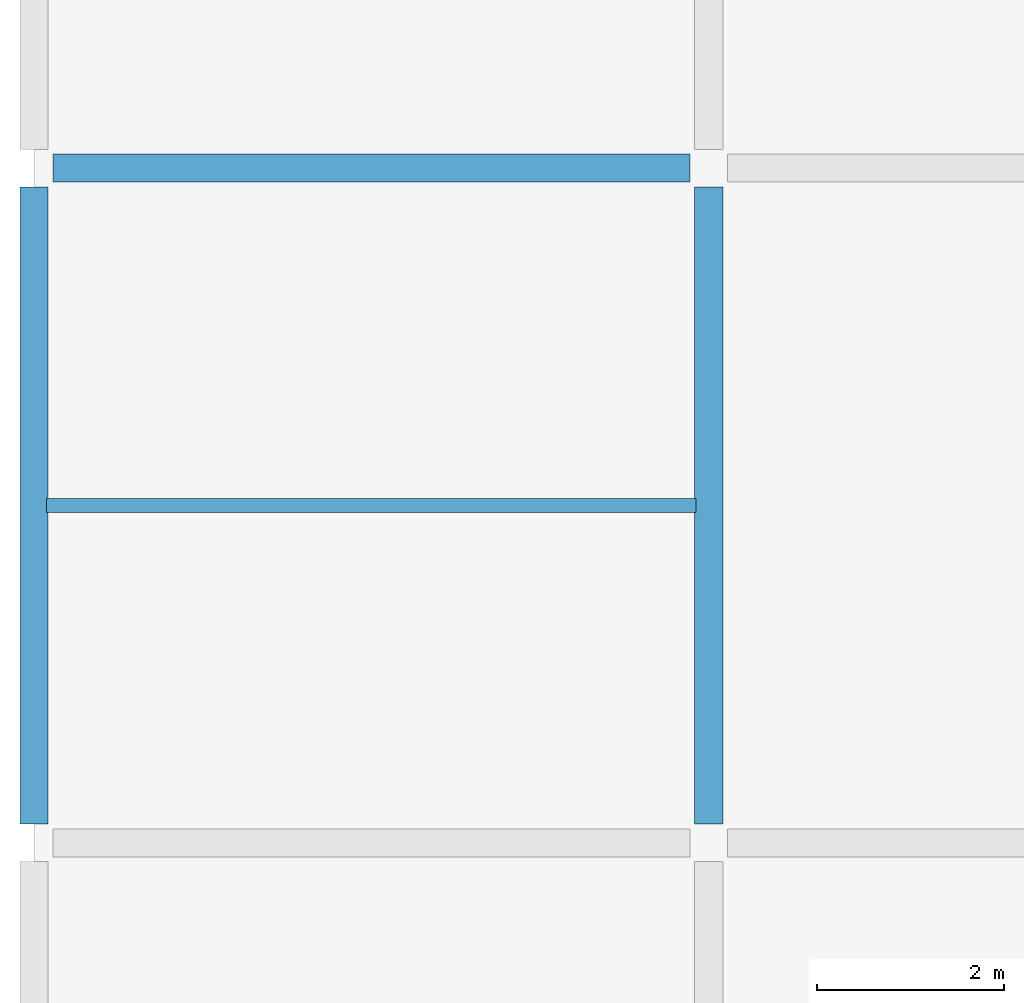
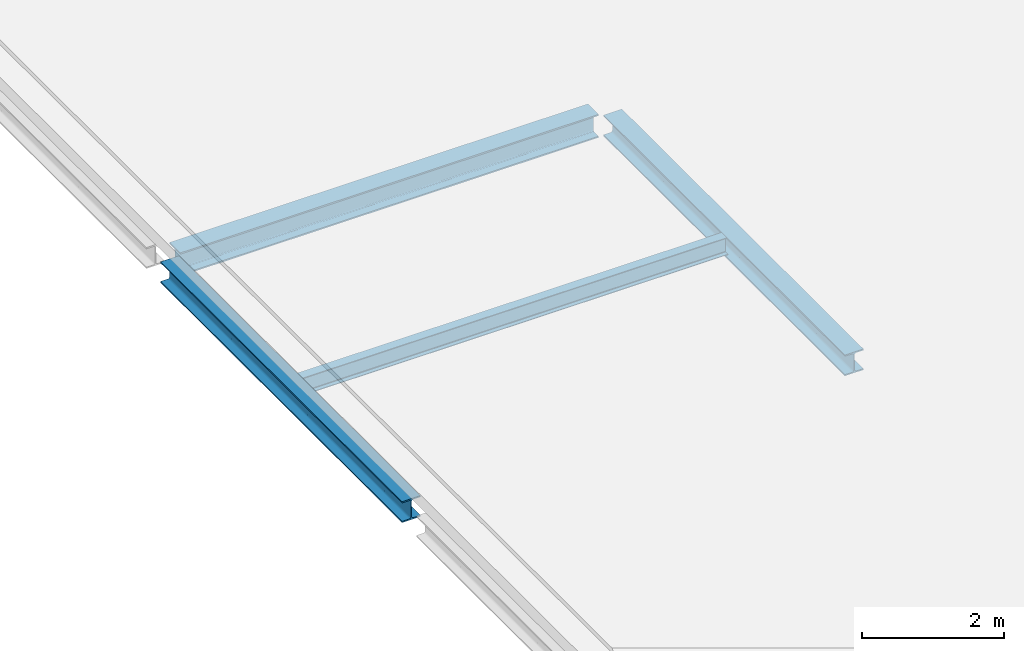
# One storey, part 192 of 397: 4 beams.
"""IFC4 building model written with IfcOpenShell, lengths in metres."""

from ifc_helpers import new_model, si_unit, direction, frame, origin, origin_2d, place, context, subcontext, project, spatial, i_section, extrude, material, material_profile, profile_set, type_object, element, save


model = new_model("IFC4")

# Units and contexts
model_context = context("Model", 3, precision=1e-05, world=origin(), true_north=direction((0.0, 1.0)))
body_context = subcontext(model_context, "Body", "Model", "MODEL_VIEW")
ifc_project = project(units=[si_unit("LENGTHUNIT", "METRE"), si_unit("AREAUNIT", "SQUARE_METRE"), si_unit("VOLUMEUNIT", "CUBIC_METRE"), si_unit("PLANEANGLEUNIT", "RADIAN"), si_unit("MASSUNIT", "GRAM", prefix="KILO")], contexts=[model_context])

# Site, building, storey
site_placement = place(None, origin())
site = spatial("IfcSite", under=ifc_project, at=site_placement, CompositionType="ELEMENT")
building_placement = place(site_placement, origin())
building = spatial("IfcBuilding", under=site, at=building_placement, Name="Qandorah Velis Arena", CompositionType="ELEMENT")
storey_placement = place(building_placement, frame((0.0, 0.0, 27.5)))
storey = spatial("IfcBuildingStorey", under=building, at=storey_placement, Name="RF", CompositionType="ELEMENT", Elevation=27.5)

# Beams
ifc_material = material(Name="Steel S355", Category="steel")
ifc_material_profile_1 = material_profile(ifc_material, i_section(OverallWidth=0.300048828125, OverallDepth=0.360107421875, WebThickness=0.012451171875, FlangeThickness=0.0224609375, FilletRadius=0.027099609375, at=origin_2d()), Name="HEB 360")
ifc_profile_set_1 = profile_set([ifc_material_profile_1], Name="Steel S355")
beam_type_1 = type_object("IfcBeamType", Name="STR-BM-HEB360", PredefinedType="BEAM", material=ifc_profile_set_1)
for number, where, z_axis, x_axis, name in (
    (1, (0.0, 86.60009765625, -0.39990234375), (0.0, 1.0, 0.0), (-1.0, 0.0, 0.0), "Primary floor girder RF Y-072"),
    (2, (7.199951171875, 86.60009765625, -0.39990234375), (0.0, 1.0, 0.0), (-1.0, 0.0, 0.0), "Primary floor girder RF Y-084"),
):
    element("IfcBeam", number, at=place(storey_placement, frame(where, z_axis=z_axis, x_axis=x_axis)), inside=storey, type_object=beam_type_1, Name=name, PredefinedType="BEAM", context=body_context, shape_type="SweptSolid", body=[
        extrude(i_section(OverallWidth=0.300048828125, OverallDepth=0.360107421875, WebThickness=0.012451171875, FlangeThickness=0.0224609375, FilletRadius=0.027099609375, at=origin_2d()), origin(), (0.0, 0.0, 1.0), 6.7998046875),
    ])
ifc_material_profile_2 = material_profile(ifc_material, i_section(OverallWidth=0.300048828125, OverallDepth=0.39990234375, WebThickness=0.013427734375, FlangeThickness=0.02392578125, FilletRadius=0.027099609375, at=origin_2d()), Name="HEB 400")
ifc_profile_set_2 = profile_set([ifc_material_profile_2], Name="Steel S355")
beam_type_2 = type_object("IfcBeamType", Name="STR-BM-HEB400", PredefinedType="BEAM", material=ifc_profile_set_2)
beam_1_placement = place(storey_placement, frame((0.199951171875, 93.60009765625, -0.419921875), z_axis=(1.0, 0.0, 0.0), x_axis=(0.0, 1.0, 0.0)))
element("IfcBeam", 3, at=beam_1_placement, inside=storey, type_object=beam_type_2, Name="Primary floor girder RF X-039", PredefinedType="BEAM", context=body_context, shape_type="SweptSolid", body=[
    extrude(i_section(OverallWidth=0.300048828125, OverallDepth=0.39990234375, WebThickness=0.013427734375, FlangeThickness=0.02392578125, FilletRadius=0.027099609375, at=origin_2d()), origin(), (0.0, 0.0, 1.0), 6.800048828125),
])
ifc_material_profile_3 = material_profile(ifc_material, i_section(OverallWidth=0.14990234375, OverallDepth=0.300048828125, WebThickness=0.007080078125, FlangeThickness=0.0107421875, FilletRadius=0.014892578125, at=origin_2d()), Name="IPE 300")
ifc_profile_set_3 = profile_set([ifc_material_profile_3], Name="Steel S355")
beam_type_3 = type_object("IfcBeamType", Name="STR-JST-IPE300", PredefinedType="JOIST", material=ifc_profile_set_3)
beam_2_placement = place(storey_placement, frame((0.135009765625, 90.0, -0.3701171875), z_axis=(1.0, 0.0, 0.0), x_axis=(0.0, 1.0, 0.0)))
element("IfcBeam", 4, at=beam_2_placement, inside=storey, type_object=beam_type_3, Name="Secondary floor joist RF-010", PredefinedType="JOIST", context=body_context, shape_type="SweptSolid", body=[
    extrude(i_section(OverallWidth=0.14990234375, OverallDepth=0.300048828125, WebThickness=0.007080078125, FlangeThickness=0.0107421875, FilletRadius=0.014892578125, at=origin_2d()), origin(), (0.0, 0.0, 1.0), 6.929931640625),
])

save(model, "model.ifc")
